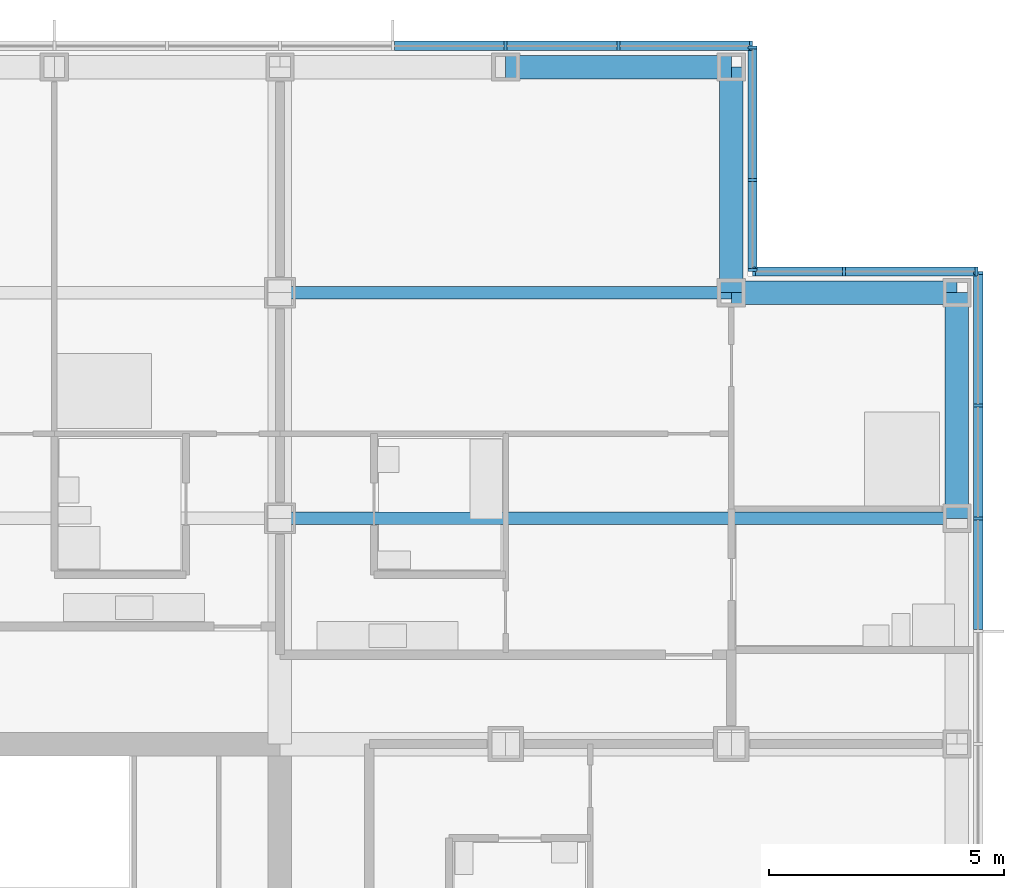
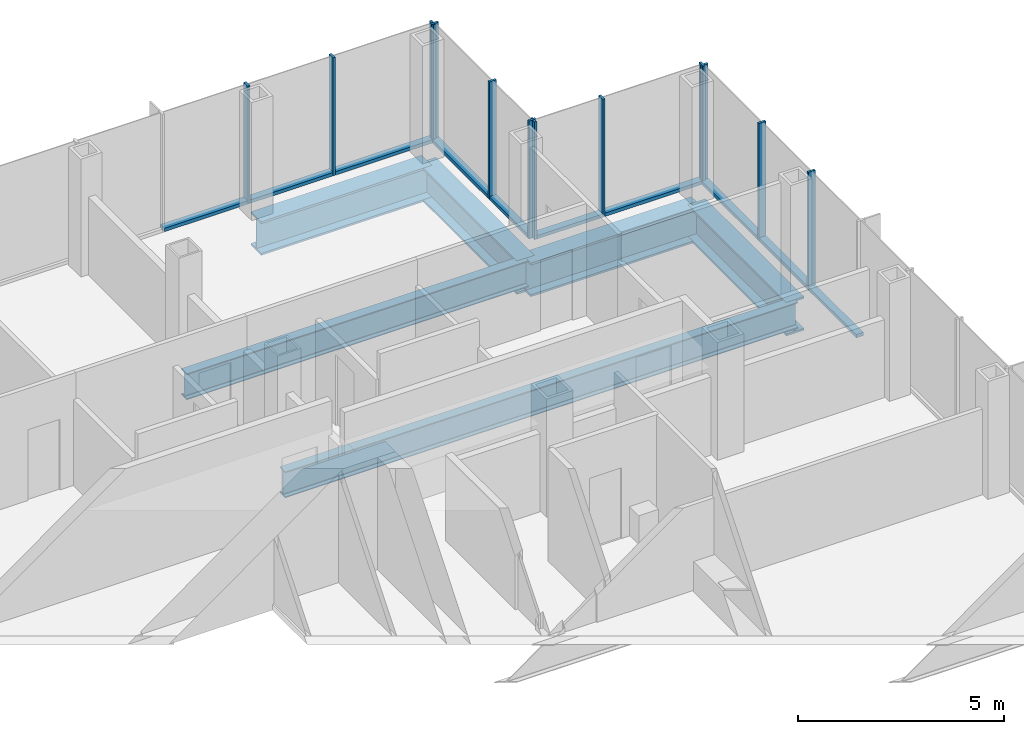
# One storey, part 11 of 21: 22 members, 6 beams, 4 elements without a shape of their own.
"""IFC4 building model written with IfcOpenShell, lengths in metres."""

from ifc_helpers import new_model, si_unit, direction, frame, origin, origin_2d, place, context, subcontext, project, spatial, rectangle, i_section, extrude, material, material_profile, profile_set, type_object, element, aggregate, save


model = new_model("IFC4")

# Units and contexts
model_context = context("Model", 3, precision=1e-05, world=origin(), true_north=direction((0.0, 1.0)))
body_context = subcontext(model_context, "Body", "Model", "MODEL_VIEW")
ifc_project = project(units=[si_unit("LENGTHUNIT", "METRE"), si_unit("AREAUNIT", "SQUARE_METRE"), si_unit("VOLUMEUNIT", "CUBIC_METRE"), si_unit("PLANEANGLEUNIT", "RADIAN"), si_unit("MASSUNIT", "GRAM", prefix="KILO")], contexts=[model_context])

# Site, building, storey
site_placement = place(None, origin())
site = spatial("IfcSite", under=ifc_project, at=site_placement, CompositionType="ELEMENT")
building_placement = place(site_placement, origin())
building = spatial("IfcBuilding", under=site, at=building_placement, Name="Kvirike Care Tower", CompositionType="ELEMENT")
storey_placement = place(building_placement, frame((0.0, 0.0, 65.5)))
storey = spatial("IfcBuildingStorey", under=building, at=storey_placement, Name="L17", CompositionType="ELEMENT", Elevation=65.5)

# Curtain wall, members
ifc_material_1 = material(Name="Anodised aluminium stick system", Category="aluminium")
curtain_wall_type = type_object("IfcCurtainWallType", Name="CW-A STICK CURTAIN WALL", PredefinedType="NOTDEFINED", material=ifc_material_1)
curtain_wall_1_placement = place(storey_placement, origin())
curtain_wall_1 = element("IfcCurtainWall", 1, at=curtain_wall_1_placement, inside=storey, type_object=curtain_wall_type, Name="Curtain wall L17 face 7", PredefinedType="NOTDEFINED")
ifc_material_2 = material(Name="Bronze anodised aluminium mullion", Category="aluminium")
ifc_material_profile_1 = material_profile(ifc_material_2, rectangle(XDim=0.06494140625, YDim=0.199951171875, at=origin_2d()), Name="CW-A MULLION 65x200")
ifc_profile_set_1 = profile_set([ifc_material_profile_1], Name="Bronze anodised aluminium mullion")
member_type_1 = type_object("IfcMemberType", Name="CW-A MULLION 65x200", PredefinedType="MULLION", material=ifc_profile_set_1)
member_1_placement = place(storey_placement, frame((43.64990234375, 48.0, 0.0), z_axis=(0.0, 0.0, 1.0), x_axis=(0.0, 1.0, 0.0)))
member_1 = element("IfcMember", 2, at=member_1_placement, type_object=member_type_1, Name="CW-A mullion L17 face 7.13", PredefinedType="MULLION", context=body_context, shape_type="SweptSolid", body=[
    extrude(rectangle(XDim=0.06494140625, YDim=0.199951171875, at=origin_2d()), origin(), (0.0, 0.0, 1.0), 3.5),
])
member_2_placement = place(storey_placement, frame((43.64990234375, 50.39990234375, 0.0), z_axis=(0.0, 0.0, 1.0), x_axis=(0.0, 1.0, 0.0)))
member_2 = element("IfcMember", 3, at=member_2_placement, type_object=member_type_1, Name="CW-A mullion L17 face 7.14", PredefinedType="MULLION", context=body_context, shape_type="SweptSolid", body=[
    extrude(rectangle(XDim=0.06494140625, YDim=0.199951171875, at=origin_2d()), origin(), (0.0, 0.0, 1.0), 3.5),
])
member_3_placement = place(storey_placement, frame((43.64990234375, 53.217529296875, 0.0), z_axis=(0.0, 0.0, 1.0), x_axis=(0.0, 1.0, 0.0)))
member_3 = element("IfcMember", 4, at=member_3_placement, type_object=member_type_1, Name="CW-A mullion L17 face 7.15", PredefinedType="MULLION", context=body_context, shape_type="SweptSolid", body=[
    extrude(rectangle(XDim=0.06494140625, YDim=0.199951171875, at=origin_2d()), origin(), (0.0, 0.0, 1.0), 3.5),
])

curtain_wall_2_placement = place(storey_placement, origin())
curtain_wall_2 = element("IfcCurtainWall", 5, at=curtain_wall_2_placement, inside=storey, type_object=curtain_wall_type, Name="Curtain wall L17 face 8", PredefinedType="NOTDEFINED")
member_4_placement = place(storey_placement, frame((43.617431640625, 53.25, 0.0), z_axis=(0.0, 0.0, 1.0), x_axis=(-1.0, 0.0, 0.0)))
member_4 = element("IfcMember", 6, at=member_4_placement, type_object=member_type_1, Name="CW-A mullion L17 face 8.1", PredefinedType="MULLION", context=body_context, shape_type="SweptSolid", body=[
    extrude(rectangle(XDim=0.06494140625, YDim=0.199951171875, at=origin_2d()), origin(), (0.0, 0.0, 1.0), 3.5),
])
member_5_placement = place(storey_placement, frame((40.800048828125, 53.25, 0.0), z_axis=(0.0, 0.0, 1.0), x_axis=(-1.0, 0.0, 0.0)))
member_5 = element("IfcMember", 7, at=member_5_placement, type_object=member_type_1, Name="CW-A mullion L17 face 8.2", PredefinedType="MULLION", context=body_context, shape_type="SweptSolid", body=[
    extrude(rectangle(XDim=0.06494140625, YDim=0.199951171875, at=origin_2d()), origin(), (0.0, 0.0, 1.0), 3.5),
])
member_6_placement = place(storey_placement, frame((38.882568359375, 53.25, 0.0), z_axis=(0.0, 0.0, 1.0), x_axis=(-1.0, 0.0, 0.0)))
member_6 = element("IfcMember", 8, at=member_6_placement, type_object=member_type_1, Name="CW-A mullion L17 face 8.3", PredefinedType="MULLION", context=body_context, shape_type="SweptSolid", body=[
    extrude(rectangle(XDim=0.06494140625, YDim=0.199951171875, at=origin_2d()), origin(), (0.0, 0.0, 1.0), 3.5),
])

curtain_wall_3_placement = place(storey_placement, origin())
curtain_wall_3 = element("IfcCurtainWall", 9, at=curtain_wall_3_placement, inside=storey, type_object=curtain_wall_type, Name="Curtain wall L17 face 9", PredefinedType="NOTDEFINED")
member_7_placement = place(storey_placement, frame((38.85009765625, 53.282470703125, 0.0), z_axis=(0.0, 0.0, 1.0), x_axis=(0.0, 1.0, 0.0)))
member_7 = element("IfcMember", 10, at=member_7_placement, type_object=member_type_1, Name="CW-A mullion L17 face 9.1", PredefinedType="MULLION", context=body_context, shape_type="SweptSolid", body=[
    extrude(rectangle(XDim=0.06494140625, YDim=0.199951171875, at=origin_2d()), origin(), (0.0, 0.0, 1.0), 3.5),
])
member_8_placement = place(storey_placement, frame((38.85009765625, 55.199951171875, 0.0), z_axis=(0.0, 0.0, 1.0), x_axis=(0.0, 1.0, 0.0)))
member_8 = element("IfcMember", 11, at=member_8_placement, type_object=member_type_1, Name="CW-A mullion L17 face 9.2", PredefinedType="MULLION", context=body_context, shape_type="SweptSolid", body=[
    extrude(rectangle(XDim=0.06494140625, YDim=0.199951171875, at=origin_2d()), origin(), (0.0, 0.0, 1.0), 3.5),
])
member_9_placement = place(storey_placement, frame((38.85009765625, 58.017578125, 0.0), z_axis=(0.0, 0.0, 1.0), x_axis=(0.0, 1.0, 0.0)))
member_9 = element("IfcMember", 12, at=member_9_placement, type_object=member_type_1, Name="CW-A mullion L17 face 9.3", PredefinedType="MULLION", context=body_context, shape_type="SweptSolid", body=[
    extrude(rectangle(XDim=0.06494140625, YDim=0.199951171875, at=origin_2d()), origin(), (0.0, 0.0, 1.0), 3.5),
])

curtain_wall_4_placement = place(storey_placement, origin())
curtain_wall_4 = element("IfcCurtainWall", 13, at=curtain_wall_4_placement, inside=storey, type_object=curtain_wall_type, Name="Curtain wall L17 face 10", PredefinedType="NOTDEFINED")
member_10_placement = place(storey_placement, frame((38.8173828125, 58.050048828125, 0.0), z_axis=(0.0, 0.0, 1.0), x_axis=(-1.0, 0.0, 0.0)))
member_10 = element("IfcMember", 14, at=member_10_placement, type_object=member_type_1, Name="CW-A mullion L17 face 10.1", PredefinedType="MULLION", context=body_context, shape_type="SweptSolid", body=[
    extrude(rectangle(XDim=0.06494140625, YDim=0.199951171875, at=origin_2d()), origin(), (0.0, 0.0, 1.0), 3.5),
])
member_11_placement = place(storey_placement, frame((36.0, 58.050048828125, 0.0), z_axis=(0.0, 0.0, 1.0), x_axis=(-1.0, 0.0, 0.0)))
member_11 = element("IfcMember", 15, at=member_11_placement, type_object=member_type_1, Name="CW-A mullion L17 face 10.2", PredefinedType="MULLION", context=body_context, shape_type="SweptSolid", body=[
    extrude(rectangle(XDim=0.06494140625, YDim=0.199951171875, at=origin_2d()), origin(), (0.0, 0.0, 1.0), 3.5),
])
member_12_placement = place(storey_placement, frame((33.60009765625, 58.050048828125, 0.0), z_axis=(0.0, 0.0, 1.0), x_axis=(-1.0, 0.0, 0.0)))
member_12 = element("IfcMember", 16, at=member_12_placement, type_object=member_type_1, Name="CW-A mullion L17 face 10.3", PredefinedType="MULLION", context=body_context, shape_type="SweptSolid", body=[
    extrude(rectangle(XDim=0.06494140625, YDim=0.199951171875, at=origin_2d()), origin(), (0.0, 0.0, 1.0), 3.5),
])

# Member
ifc_material_3 = material(Name="Bronze anodised aluminium transom", Category="aluminium")
ifc_material_profile_2 = material_profile(ifc_material_3, rectangle(XDim=0.199951171875, YDim=0.10009765625, at=origin_2d()), Name="CW-A TRANSOM 200x100")
ifc_profile_set_2 = profile_set([ifc_material_profile_2], Name="Bronze anodised aluminium transom")
member_type_2 = type_object("IfcMemberType", Name="CW-A TRANSOM 200x100", PredefinedType="USERDEFINED", material=ifc_profile_set_2)
member_13_placement = place(storey_placement, frame((43.64990234375, 45.632568359375, 0.050048828125), z_axis=(0.0, 1.0, 0.0), x_axis=(-1.0, 0.0, 0.0)))
member_13 = element("IfcMember", 17, at=member_13_placement, type_object=member_type_2, Name="CW-A sill transom L17 face 7.12", ObjectType="TRANSOM", PredefinedType="USERDEFINED", context=body_context, shape_type="SweptSolid", body=[
    extrude(rectangle(XDim=0.199951171875, YDim=0.10009765625, at=origin_2d()), origin(), (0.0, 0.0, 1.0), 2.3349609375),
])

member_14_placement = place(storey_placement, frame((43.64990234375, 48.032470703125, 0.050048828125), z_axis=(0.0, 1.0, 0.0), x_axis=(-1.0, 0.0, 0.0)))
member_14 = element("IfcMember", 18, at=member_14_placement, type_object=member_type_2, Name="CW-A sill transom L17 face 7.13", ObjectType="TRANSOM", PredefinedType="USERDEFINED", context=body_context, shape_type="SweptSolid", body=[
    extrude(rectangle(XDim=0.199951171875, YDim=0.10009765625, at=origin_2d()), origin(), (0.0, 0.0, 1.0), 2.3349609375),
])

member_15_placement = place(storey_placement, frame((43.64990234375, 50.4326171875, 0.050048828125), z_axis=(0.0, 1.0, 0.0), x_axis=(-1.0, 0.0, 0.0)))
member_15 = element("IfcMember", 19, at=member_15_placement, type_object=member_type_2, Name="CW-A sill transom L17 face 7.14", ObjectType="TRANSOM", PredefinedType="USERDEFINED", context=body_context, shape_type="SweptSolid", body=[
    extrude(rectangle(XDim=0.199951171875, YDim=0.10009765625, at=origin_2d()), origin(), (0.0, 0.0, 1.0), 2.75244140625),
])

aggregate(curtain_wall_1, [member_1, member_2, member_3, member_13, member_14, member_15])

member_16_placement = place(storey_placement, frame((43.5849609375, 53.25, 0.050048828125), z_axis=(-1.0, 0.0, 0.0), x_axis=(0.0, -1.0, 0.0)))
member_16 = element("IfcMember", 20, at=member_16_placement, type_object=member_type_2, Name="CW-A sill transom L17 face 8.1", ObjectType="TRANSOM", PredefinedType="USERDEFINED", context=body_context, shape_type="SweptSolid", body=[
    extrude(rectangle(XDim=0.199951171875, YDim=0.10009765625, at=origin_2d()), origin(), (0.0, 0.0, 1.0), 2.75244140625),
])

member_17_placement = place(storey_placement, frame((40.767578125, 53.25, 0.050048828125), z_axis=(-1.0, 0.0, 0.0), x_axis=(0.0, -1.0, 0.0)))
member_17 = element("IfcMember", 21, at=member_17_placement, type_object=member_type_2, Name="CW-A sill transom L17 face 8.2", ObjectType="TRANSOM", PredefinedType="USERDEFINED", context=body_context, shape_type="SweptSolid", body=[
    extrude(rectangle(XDim=0.199951171875, YDim=0.10009765625, at=origin_2d()), origin(), (0.0, 0.0, 1.0), 1.8525390625),
])

aggregate(curtain_wall_2, [member_4, member_5, member_6, member_16, member_17])

member_18_placement = place(storey_placement, frame((38.85009765625, 53.31494140625, 0.050048828125), z_axis=(0.0, 1.0, 0.0), x_axis=(-1.0, 0.0, 0.0)))
member_18 = element("IfcMember", 22, at=member_18_placement, type_object=member_type_2, Name="CW-A sill transom L17 face 9.1", ObjectType="TRANSOM", PredefinedType="USERDEFINED", context=body_context, shape_type="SweptSolid", body=[
    extrude(rectangle(XDim=0.199951171875, YDim=0.10009765625, at=origin_2d()), origin(), (0.0, 0.0, 1.0), 1.8525390625),
])

member_19_placement = place(storey_placement, frame((38.85009765625, 55.232421875, 0.050048828125), z_axis=(0.0, 1.0, 0.0), x_axis=(-1.0, 0.0, 0.0)))
member_19 = element("IfcMember", 23, at=member_19_placement, type_object=member_type_2, Name="CW-A sill transom L17 face 9.2", ObjectType="TRANSOM", PredefinedType="USERDEFINED", context=body_context, shape_type="SweptSolid", body=[
    extrude(rectangle(XDim=0.199951171875, YDim=0.10009765625, at=origin_2d()), origin(), (0.0, 0.0, 1.0), 2.752685546875),
])

aggregate(curtain_wall_3, [member_7, member_8, member_9, member_18, member_19])

member_20_placement = place(storey_placement, frame((38.784912109375, 58.050048828125, 0.050048828125), z_axis=(-1.0, 0.0, 0.0), x_axis=(0.0, -1.0, 0.0)))
member_20 = element("IfcMember", 24, at=member_20_placement, type_object=member_type_2, Name="CW-A sill transom L17 face 10.1", ObjectType="TRANSOM", PredefinedType="USERDEFINED", context=body_context, shape_type="SweptSolid", body=[
    extrude(rectangle(XDim=0.199951171875, YDim=0.10009765625, at=origin_2d()), origin(), (0.0, 0.0, 1.0), 2.75244140625),
])

member_21_placement = place(storey_placement, frame((35.967529296875, 58.050048828125, 0.050048828125), z_axis=(-1.0, 0.0, 0.0), x_axis=(0.0, -1.0, 0.0)))
member_21 = element("IfcMember", 25, at=member_21_placement, type_object=member_type_2, Name="CW-A sill transom L17 face 10.2", ObjectType="TRANSOM", PredefinedType="USERDEFINED", context=body_context, shape_type="SweptSolid", body=[
    extrude(rectangle(XDim=0.199951171875, YDim=0.10009765625, at=origin_2d()), origin(), (0.0, 0.0, 1.0), 2.3349609375),
])

member_22_placement = place(storey_placement, frame((33.5673828125, 58.050048828125, 0.050048828125), z_axis=(-1.0, 0.0, 0.0), x_axis=(0.0, -1.0, 0.0)))
member_22 = element("IfcMember", 26, at=member_22_placement, type_object=member_type_2, Name="CW-A sill transom L17 face 10.3", ObjectType="TRANSOM", PredefinedType="USERDEFINED", context=body_context, shape_type="SweptSolid", body=[
    extrude(rectangle(XDim=0.199951171875, YDim=0.10009765625, at=origin_2d()), origin(), (0.0, 0.0, 1.0), 2.3349609375),
])

aggregate(curtain_wall_4, [member_10, member_11, member_12, member_20, member_21, member_22])

# Beams
ifc_material_4 = material(Name="Steel S355", Category="steel")
ifc_material_profile_3 = material_profile(ifc_material_4, i_section(OverallWidth=0.26806640625, OverallDepth=0.77001953125, WebThickness=0.015625, FlangeThickness=0.025390625, FilletRadius=0.01708984375, at=origin_2d()), Name="IPE 750x196")
ifc_profile_set_3 = profile_set([ifc_material_profile_3], Name="Steel S355")
beam_type_1 = type_object("IfcBeamType", Name="FLOOR BEAM IPE 750x196", PredefinedType="BEAM", material=ifc_profile_set_3)
beam_1_placement = place(storey_placement, frame((28.800048828125, 48.0, -0.554931640625), z_axis=(1.0, 0.0, 0.0), x_axis=(0.0, 1.0, 0.0)))
element("IfcBeam", 27, at=beam_1_placement, inside=storey, type_object=beam_type_1, Name="Floor Beam L9-L12 L17", PredefinedType="BEAM", context=body_context, shape_type="SweptSolid", body=[
    extrude(i_section(OverallWidth=0.26806640625, OverallDepth=0.77001953125, WebThickness=0.015625, FlangeThickness=0.025390625, FilletRadius=0.01708984375, at=origin_2d()), origin(), (0.0, 0.0, 1.0), 14.39990234375),
])
beam_2_placement = place(storey_placement, frame((28.800048828125, 52.800048828125, -0.554931640625), z_axis=(1.0, 0.0, 0.0), x_axis=(0.0, 1.0, 0.0)))
element("IfcBeam", 28, at=beam_2_placement, inside=storey, type_object=beam_type_1, Name="Floor Beam M9-M11 L17", PredefinedType="BEAM", context=body_context, shape_type="SweptSolid", body=[
    extrude(i_section(OverallWidth=0.26806640625, OverallDepth=0.77001953125, WebThickness=0.015625, FlangeThickness=0.025390625, FilletRadius=0.01708984375, at=origin_2d()), origin(), (0.0, 0.0, 1.0), 9.599853515625),
])
ifc_material_5 = material(Name="Steel S355", Category="steel")
ifc_material_profile_4 = material_profile(ifc_material_5, i_section(OverallWidth=0.5, OverallDepth=1.0, WebThickness=0.030029296875, FlangeThickness=0.06005859375, at=origin_2d()), Name="PG 1000x500x30x60")
ifc_profile_set_4 = profile_set([ifc_material_profile_4], Name="Steel S355")
beam_type_2 = type_object("IfcBeamType", Name="SPANDREL PG 1000x500x30x60", PredefinedType="SPANDREL", material=ifc_profile_set_4)
beam_3_placement = place(storey_placement, frame((38.39990234375, 52.800048828125, -0.669921875), z_axis=(1.0, 0.0, 0.0), x_axis=(0.0, 1.0, 0.0)))
element("IfcBeam", 29, at=beam_3_placement, inside=storey, type_object=beam_type_2, Name="Spandrel M11-M12 L17", PredefinedType="SPANDREL", context=body_context, shape_type="SweptSolid", body=[
    extrude(i_section(OverallWidth=0.5, OverallDepth=1.0, WebThickness=0.030029296875, FlangeThickness=0.06005859375, at=origin_2d()), origin(), (0.0, 0.0, 1.0), 4.800048828125),
])
beam_4_placement = place(storey_placement, frame((33.60009765625, 57.60009765625, -0.669921875), z_axis=(1.0, 0.0, 0.0), x_axis=(0.0, 1.0, 0.0)))
element("IfcBeam", 30, at=beam_4_placement, inside=storey, type_object=beam_type_2, Name="Spandrel N10-N11 L17", PredefinedType="SPANDREL", context=body_context, shape_type="SweptSolid", body=[
    extrude(i_section(OverallWidth=0.5, OverallDepth=1.0, WebThickness=0.030029296875, FlangeThickness=0.06005859375, at=origin_2d()), origin(), (0.0, 0.0, 1.0), 4.7998046875),
])
for number, where, z_axis, x_axis, name in (
    (31, (38.39990234375, 52.800048828125, -0.669921875), (0.0, 1.0, 0.0), (-1.0, 0.0, 0.0), "Spandrel M11-N11 L17"),
    (32, (43.199951171875, 48.0, -0.669921875), (0.0, 1.0, 0.0), (-1.0, 0.0, 0.0), "Spandrel L12-M12 L17"),
):
    element("IfcBeam", number, at=place(storey_placement, frame(where, z_axis=z_axis, x_axis=x_axis)), inside=storey, type_object=beam_type_2, Name=name, PredefinedType="SPANDREL", context=body_context, shape_type="SweptSolid", body=[
        extrude(i_section(OverallWidth=0.5, OverallDepth=1.0, WebThickness=0.030029296875, FlangeThickness=0.06005859375, at=origin_2d()), origin(), (0.0, 0.0, 1.0), 4.800048828125),
    ])

save(model, "model.ifc")
